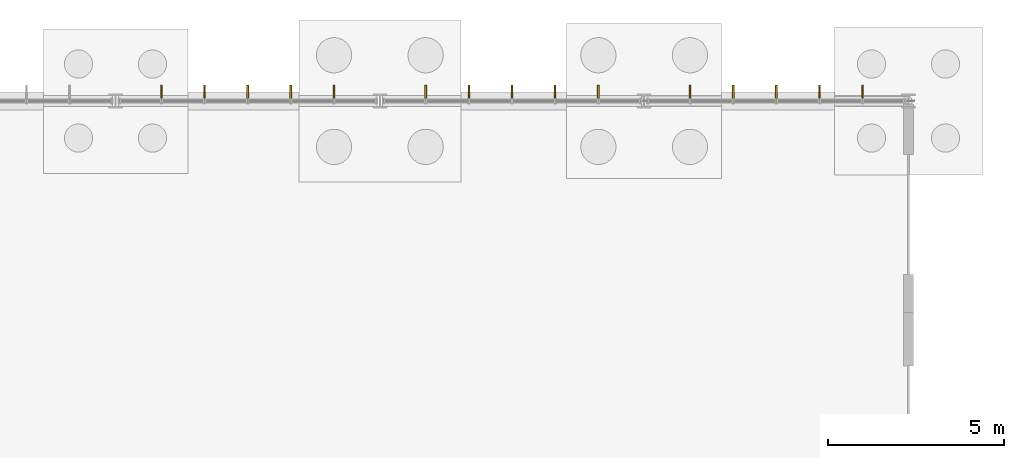
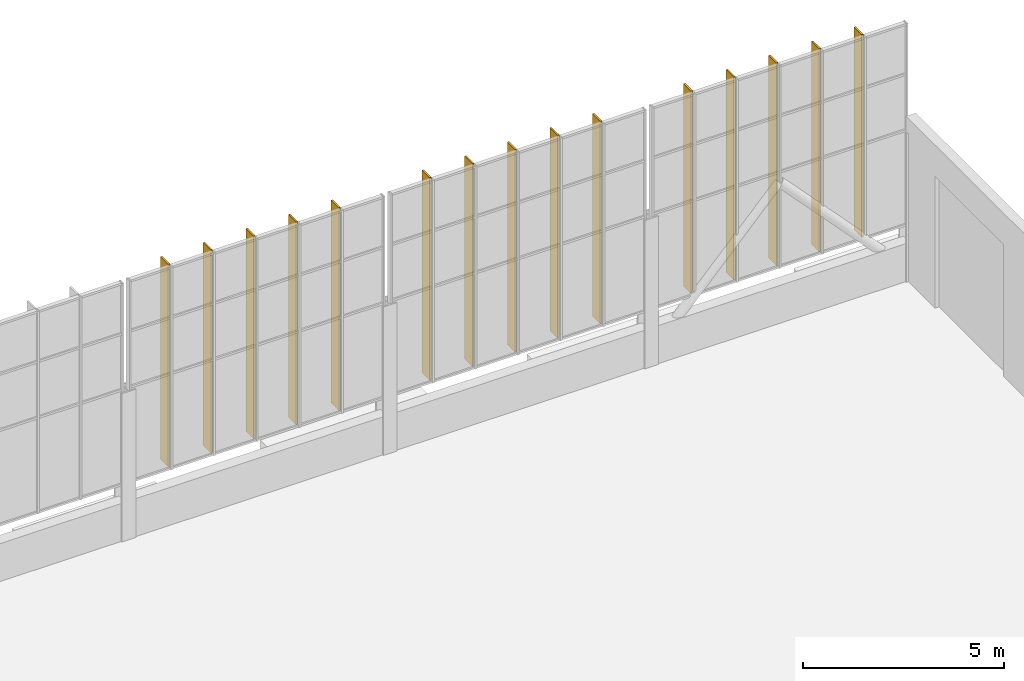
# One storey, part 135 of 136: 15 coverings.
"""IFC4 building model written with IfcOpenShell, lengths in metres."""

from ifc_helpers import new_model, si_unit, direction, frame, origin, origin_2d, place, context, subcontext, project, spatial, rectangle, extrude, material, layer, layer_set, type_object, element, save


model = new_model("IFC4")

# Units and contexts
model_context = context("Model", 3, precision=1e-05, world=origin(), true_north=direction((0.0, 1.0)))
body_context = subcontext(model_context, "Body", "Model", "MODEL_VIEW")
ifc_project = project(units=[si_unit("LENGTHUNIT", "METRE"), si_unit("AREAUNIT", "SQUARE_METRE"), si_unit("VOLUMEUNIT", "CUBIC_METRE"), si_unit("PLANEANGLEUNIT", "RADIAN"), si_unit("MASSUNIT", "GRAM", prefix="KILO")], contexts=[model_context])

# Site, building, storey
site_placement = place(None, origin())
site = spatial("IfcSite", under=ifc_project, at=site_placement, CompositionType="ELEMENT")
building_placement = place(site_placement, origin())
building = spatial("IfcBuilding", under=site, at=building_placement, Name="Solvenia Promenade Tram Depot", CompositionType="ELEMENT")
storey_placement = place(building_placement, origin())
storey = spatial("IfcBuildingStorey", under=building, at=storey_placement, Name="L00", CompositionType="ELEMENT", Elevation=0.0)

# Coverings
ifc_material = material(Name="Anodized aluminium AW-6063 T6", Category="aluminium")
ifc_layer = layer(ifc_material, 0.050048828125, Name="Anodized aluminium AW-6063 T6", Category="aluminium")
ifc_layer_set = layer_set([ifc_layer], Name="Anodized aluminium AW-6063 T6")
covering_type = type_object("IfcCoveringType", Name="Fin-Shade-380", PredefinedType="CLADDING", material=ifc_layer_set)
for number, where, z_axis, x_axis, name in (
    (1, (128.80322265625, 126.2548828125, 1.60009765625), (0.0, 0.0, 1.0), (1.0, 0.0, 0.0), "Channel-Glass Vertical Shading Rib 086"),
    (2, (130.026611328125, 126.2548828125, 1.60009765625), (0.0, 0.0, 1.0), (1.0, 0.0, 0.0), "Channel-Glass Vertical Shading Rib 087"),
    (3, (131.25, 126.2548828125, 1.60009765625), (0.0, 0.0, 1.0), (1.0, 0.0, 0.0), "Channel-Glass Vertical Shading Rib 088"),
    (4, (132.473388671875, 126.2548828125, 1.60009765625), (0.0, 0.0, 1.0), (1.0, 0.0, 0.0), "Channel-Glass Vertical Shading Rib 089"),
    (5, (133.69677734375, 126.2548828125, 1.60009765625), (0.0, 0.0, 1.0), (1.0, 0.0, 0.0), "Channel-Glass Vertical Shading Rib 090"),
    (6, (136.30322265625, 126.2548828125, 1.60009765625), (0.0, 0.0, 1.0), (1.0, 0.0, 0.0), "Channel-Glass Vertical Shading Rib 091"),
    (7, (137.526611328125, 126.2548828125, 1.60009765625), (0.0, 0.0, 1.0), (1.0, 0.0, 0.0), "Channel-Glass Vertical Shading Rib 092"),
    (8, (138.75, 126.2548828125, 1.60009765625), (0.0, 0.0, 1.0), (1.0, 0.0, 0.0), "Channel-Glass Vertical Shading Rib 093"),
    (9, (139.973388671875, 126.2548828125, 1.60009765625), (0.0, 0.0, 1.0), (1.0, 0.0, 0.0), "Channel-Glass Vertical Shading Rib 094"),
    (10, (141.19677734375, 126.2548828125, 1.60009765625), (0.0, 0.0, 1.0), (1.0, 0.0, 0.0), "Channel-Glass Vertical Shading Rib 095"),
    (11, (143.80322265625, 126.2548828125, 1.60009765625), (0.0, 0.0, 1.0), (1.0, 0.0, 0.0), "Channel-Glass Vertical Shading Rib 096"),
    (12, (145.026611328125, 126.2548828125, 1.60009765625), (0.0, 0.0, 1.0), (1.0, 0.0, 0.0), "Channel-Glass Vertical Shading Rib 097"),
    (13, (146.25, 126.2548828125, 1.60009765625), (0.0, 0.0, 1.0), (1.0, 0.0, 0.0), "Channel-Glass Vertical Shading Rib 098"),
    (14, (147.473388671875, 126.2548828125, 1.60009765625), (0.0, 0.0, 1.0), (1.0, 0.0, 0.0), "Channel-Glass Vertical Shading Rib 099"),
    (15, (148.69677734375, 126.2548828125, 1.60009765625), (0.0, 0.0, 1.0), (1.0, 0.0, 0.0), "Channel-Glass Vertical Shading Rib 100"),
):
    element("IfcCovering", number, at=place(storey_placement, frame(where, z_axis=z_axis, x_axis=x_axis)), inside=storey, type_object=covering_type, Name=name, PredefinedType="CLADDING", context=body_context, shape_type="SweptSolid", body=[
        extrude(rectangle(XDim=0.050048828125, YDim=0.3798828125, at=origin_2d()), origin(), (0.0, 0.0, 1.0), 6.14990234375),
    ])

save(model, "model.ifc")
